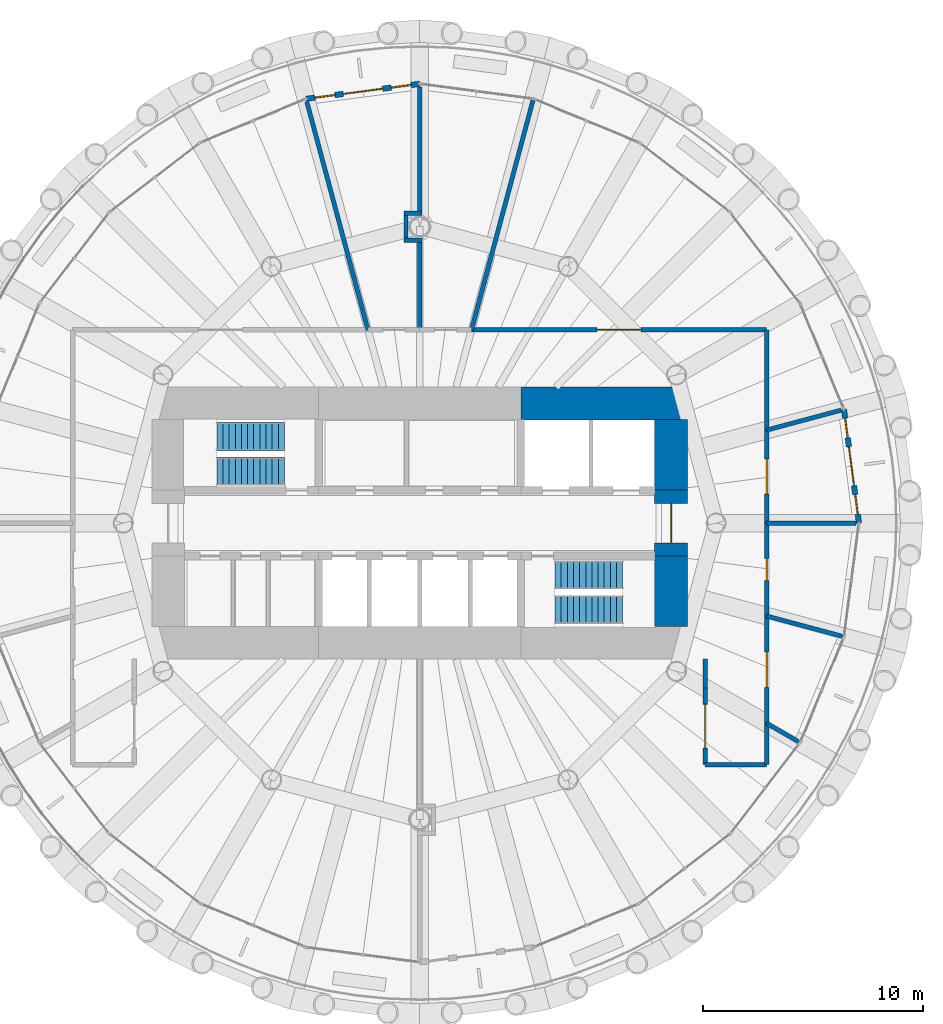
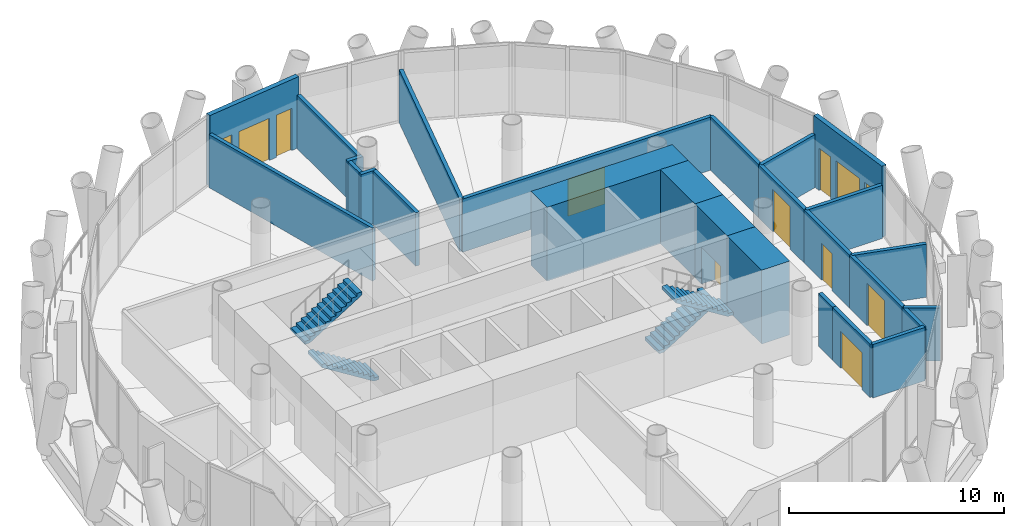
# One storey, part 10 of 13: 26 walls, 8 doors, 4 stair flights, 4 windows, 12 openings, 2 elements without a shape of their own.
"""IFC4 building model written with IfcOpenShell, lengths in metres."""

from ifc_helpers import new_model, si_unit, direction, frame, frame_2d, origin, place, context, subcontext, project, spatial, polyline, rectangle, outline, extrude, material, layer, layer_set, type_object, element, fill, aggregate, save


model = new_model("IFC4")

# Units and contexts
model_context = context("Model", 3, precision=1e-05, world=origin(), true_north=direction((0.0, 1.0)))
body_context = subcontext(model_context, "Body", "Model", "MODEL_VIEW")
ifc_project = project(units=[si_unit("LENGTHUNIT", "METRE"), si_unit("AREAUNIT", "SQUARE_METRE"), si_unit("VOLUMEUNIT", "CUBIC_METRE"), si_unit("PLANEANGLEUNIT", "RADIAN"), si_unit("MASSUNIT", "GRAM", prefix="KILO")], contexts=[model_context])

# Site, building, storey
site_placement = place(None, origin())
site = spatial("IfcSite", under=ifc_project, at=site_placement, CompositionType="ELEMENT")
building_placement = place(site_placement, origin())
building = spatial("IfcBuilding", under=site, at=building_placement, Name="Qaws Media Tower", CompositionType="ELEMENT")
storey_placement = place(building_placement, frame((0.0, 0.0, 244.39990234375)))
storey = spatial("IfcBuildingStorey", under=building, at=storey_placement, Name="L56", CompositionType="ELEMENT", Elevation=244.39990234375)

# Wall, openings, door, windows
ifc_material_1 = material(Name="Precast concrete, exposed finish", Category="concrete")
ifc_layer_1 = layer(ifc_material_1, 0.25)
ifc_layer_set_1 = layer_set([ifc_layer_1], Name="Balcony door wall 250")
wall_type_1 = type_object("IfcWallType", Name="Balcony door wall 250", PredefinedType="SOLIDWALL", material=ifc_layer_set_1)
wall_1_placement = place(storey_placement, frame((80.0, 50.0, 0.0), z_axis=(0.0, 0.0, 1.0), x_axis=(-0.130512574825, 0.991446654043, 0.0)))
wall_1 = element("IfcWall", 1, at=wall_1_placement, inside=storey, type_object=wall_type_1, Name="W263 EW1 balcony door wall L56-01", PredefinedType="SOLIDWALL", context=body_context, shape_type="SweptSolid", body=[
    extrude(rectangle(XDim=5.220947265625, YDim=0.25, at=frame_2d((2.6103515625, 0.0))), origin(), (0.0, 0.0, 1.0), 4.0400390625),
])
opening_1_placement = place(wall_1_placement, frame((1.71044921875, 0.0, 0.0)))
opening_1 = element("IfcOpeningElement", 2, at=opening_1_placement, cuts=wall_1, Name="Opening D7", PredefinedType="OPENING", context=body_context, shape_type="SweptSolid", body=[
    extrude(rectangle(XDim=1.800048828125, YDim=2.39990234375, at=frame_2d((0.89990234375, 1.199951171875))), frame((0.0, 0.135009765625, 0.0), z_axis=(0.0, -1.0, 0.0), x_axis=(1.0, 0.0, 0.0)), (0.0, 0.0, 1.0), 0.27001953125),
])
opening_2_placement = place(wall_1_placement, frame((0.41064453125, 0.0, 0.0)))
opening_2 = element("IfcOpeningElement", 3, at=opening_2_placement, cuts=wall_1, Name="Opening W7", PredefinedType="OPENING", context=body_context, shape_type="SweptSolid", body=[
    extrude(rectangle(XDim=0.89990234375, YDim=2.39990234375, at=frame_2d((0.449951171875, 1.199951171875))), frame((0.0, 0.135009765625, 0.0), z_axis=(0.0, -1.0, 0.0), x_axis=(1.0, 0.0, 0.0)), (0.0, 0.0, 1.0), 0.27001953125),
])
opening_3_placement = place(wall_1_placement, frame((3.91064453125, 0.0, 0.0)))
opening_3 = element("IfcOpeningElement", 4, at=opening_3_placement, cuts=wall_1, Name="Opening W7", PredefinedType="OPENING", context=body_context, shape_type="SweptSolid", body=[
    extrude(rectangle(XDim=0.89990234375, YDim=2.39990234375, at=frame_2d((0.449951171875, 1.199951171875))), frame((0.0, 0.135009765625, 0.0), z_axis=(0.0, -1.0, 0.0), x_axis=(1.0, 0.0, 0.0)), (0.0, 0.0, 1.0), 0.27001953125),
])
ifc_material_2 = material(Name="Aluminium and clear glass", Category="aluminium")
door_type_1 = type_object("IfcDoorType", Name="Balcony door pair 1800", OperationType="DOUBLE_DOOR_SLIDING", PredefinedType="DOOR", material=ifc_material_2)
door_1_placement = place(opening_1_placement, origin())
door_1 = element("IfcDoor", 5, at=door_1_placement, inside=storey, type_object=door_type_1, Name="D7 balcony door L56-01 in wall W263", OperationType="DOUBLE_DOOR_SLIDING", OverallHeight=2.39990234375, OverallWidth=1.800048828125, PredefinedType="DOOR", context=body_context, shape_type="SweptSolid", body=[
    extrude(rectangle(XDim=1.800048828125, YDim=2.39990234375, at=frame_2d((0.89990234375, 1.199951171875))), frame((0.0, 0.02490234375, 0.0), z_axis=(0.0, -1.0, 0.0), x_axis=(1.0, 0.0, 0.0)), (0.0, 0.0, 1.0), 0.050048828125),
])
fill(opening_1, door_1)
ifc_material_3 = material(Name="Aluminium and clear glass", Category="aluminium")
window_type = type_object("IfcWindowType", Name="Balcony side window 900", PartitioningType="SINGLE_PANEL", PredefinedType="WINDOW", material=ifc_material_3)
window_1_placement = place(opening_2_placement, origin())
window_1 = element("IfcWindow", 6, at=window_1_placement, inside=storey, type_object=window_type, Name="W1 balcony side light L56-01L", OverallHeight=2.39990234375, OverallWidth=0.89990234375, PartitioningType="SINGLE_PANEL", PredefinedType="WINDOW", context=body_context, shape_type="SweptSolid", body=[
    extrude(rectangle(XDim=0.89990234375, YDim=2.39990234375, at=frame_2d((0.449951171875, 1.199951171875))), frame((0.0, 0.030029296875, 0.0), z_axis=(0.0, -1.0, 0.0), x_axis=(1.0, 0.0, 0.0)), (0.0, 0.0, 1.0), 0.06005859375),
])
fill(opening_2, window_1)
window_2_placement = place(opening_3_placement, origin())
window_2 = element("IfcWindow", 7, at=window_2_placement, inside=storey, type_object=window_type, Name="W1 balcony side light L56-01R", OverallHeight=2.39990234375, OverallWidth=0.89990234375, PartitioningType="SINGLE_PANEL", PredefinedType="WINDOW", context=body_context, shape_type="SweptSolid", body=[
    extrude(rectangle(XDim=0.89990234375, YDim=2.39990234375, at=frame_2d((0.449951171875, 1.199951171875))), frame((0.0, 0.030029296875, 0.0), z_axis=(0.0, -1.0, 0.0), x_axis=(1.0, 0.0, 0.0)), (0.0, 0.0, 1.0), 0.06005859375),
])
fill(opening_3, window_2)

wall_2_placement = place(storey_placement, frame((60.0, 70.0, 0.0), z_axis=(0.0, 0.0, 1.0), x_axis=(-0.991446654043, -0.130512574825, 0.0)))
wall_2 = element("IfcWall", 8, at=wall_2_placement, inside=storey, type_object=wall_type_1, Name="W262 EW1 balcony door wall L56-07", PredefinedType="SOLIDWALL", context=body_context, shape_type="SweptSolid", body=[
    extrude(rectangle(XDim=5.220947265625, YDim=0.25, at=frame_2d((2.6103515625, 0.0))), origin(), (0.0, 0.0, 1.0), 4.0400390625),
])
opening_4_placement = place(wall_2_placement, frame((1.71044921875, 0.0, 0.0)))
opening_4 = element("IfcOpeningElement", 9, at=opening_4_placement, cuts=wall_2, Name="Opening D7", PredefinedType="OPENING", context=body_context, shape_type="SweptSolid", body=[
    extrude(rectangle(XDim=1.800048828125, YDim=2.39990234375, at=frame_2d((0.89990234375, 1.199951171875))), frame((0.0, 0.135009765625, 0.0), z_axis=(0.0, -1.0, 0.0), x_axis=(1.0, 0.0, 0.0)), (0.0, 0.0, 1.0), 0.27001953125),
])
opening_5_placement = place(wall_2_placement, frame((0.41064453125, 0.0, 0.0)))
opening_5 = element("IfcOpeningElement", 10, at=opening_5_placement, cuts=wall_2, Name="Opening W7", PredefinedType="OPENING", context=body_context, shape_type="SweptSolid", body=[
    extrude(rectangle(XDim=0.89990234375, YDim=2.39990234375, at=frame_2d((0.449951171875, 1.199951171875))), frame((0.0, 0.135009765625, 0.0), z_axis=(0.0, -1.0, 0.0), x_axis=(1.0, 0.0, 0.0)), (0.0, 0.0, 1.0), 0.27001953125),
])
opening_6_placement = place(wall_2_placement, frame((3.91064453125, 0.0, 0.0)))
opening_6 = element("IfcOpeningElement", 11, at=opening_6_placement, cuts=wall_2, Name="Opening W7", PredefinedType="OPENING", context=body_context, shape_type="SweptSolid", body=[
    extrude(rectangle(XDim=0.89990234375, YDim=2.39990234375, at=frame_2d((0.449951171875, 1.199951171875))), frame((0.0, 0.135009765625, 0.0), z_axis=(0.0, -1.0, 0.0), x_axis=(1.0, 0.0, 0.0)), (0.0, 0.0, 1.0), 0.27001953125),
])
door_2_placement = place(opening_4_placement, origin())
door_2 = element("IfcDoor", 12, at=door_2_placement, inside=storey, type_object=door_type_1, Name="D7 balcony door L56-07 in wall W262", OperationType="DOUBLE_DOOR_SLIDING", OverallHeight=2.39990234375, OverallWidth=1.800048828125, PredefinedType="DOOR", context=body_context, shape_type="SweptSolid", body=[
    extrude(rectangle(XDim=1.800048828125, YDim=2.39990234375, at=frame_2d((0.89990234375, 1.199951171875))), frame((0.0, 0.02490234375, 0.0), z_axis=(0.0, -1.0, 0.0), x_axis=(1.0, 0.0, 0.0)), (0.0, 0.0, 1.0), 0.050048828125),
])
fill(opening_4, door_2)
window_3_placement = place(opening_5_placement, origin())
window_3 = element("IfcWindow", 13, at=window_3_placement, inside=storey, type_object=window_type, Name="W1 balcony side light L56-07L", OverallHeight=2.39990234375, OverallWidth=0.89990234375, PartitioningType="SINGLE_PANEL", PredefinedType="WINDOW", context=body_context, shape_type="SweptSolid", body=[
    extrude(rectangle(XDim=0.89990234375, YDim=2.39990234375, at=frame_2d((0.449951171875, 1.199951171875))), frame((0.0, 0.030029296875, 0.0), z_axis=(0.0, -1.0, 0.0), x_axis=(1.0, 0.0, 0.0)), (0.0, 0.0, 1.0), 0.06005859375),
])
fill(opening_5, window_3)
window_4_placement = place(opening_6_placement, origin())
window_4 = element("IfcWindow", 14, at=window_4_placement, inside=storey, type_object=window_type, Name="W1 balcony side light L56-07R", OverallHeight=2.39990234375, OverallWidth=0.89990234375, PartitioningType="SINGLE_PANEL", PredefinedType="WINDOW", context=body_context, shape_type="SweptSolid", body=[
    extrude(rectangle(XDim=0.89990234375, YDim=2.39990234375, at=frame_2d((0.449951171875, 1.199951171875))), frame((0.0, 0.030029296875, 0.0), z_axis=(0.0, -1.0, 0.0), x_axis=(1.0, 0.0, 0.0)), (0.0, 0.0, 1.0), 0.06005859375),
])
fill(opening_6, window_4)

# Walls
ifc_material_4 = material(Name="Concrete C60/75", Category="concrete")
ifc_layer_2 = layer(ifc_material_4, 1.5)
ifc_layer_set_2 = layer_set([ifc_layer_2], Name="Core wall 1500")
wall_type_2 = type_object("IfcWallType", Name="Core wall 1500", PredefinedType="SHEAR", material=ifc_layer_set_2)
wall_3_placement = place(storey_placement, frame((64.60009765625, 55.449951171875, 0.0), z_axis=(0.0, 0.0, 1.0), x_axis=(1.0, 0.0, 0.0)))
element("IfcWall", 15, at=wall_3_placement, inside=storey, type_object=wall_type_2, Name="W382 SW13 core wall NE L56", PredefinedType="SHEAR", context=body_context, shape_type="SweptSolid", body=[
    extrude(rectangle(XDim=7.599853515625, YDim=1.5, at=frame_2d((3.7998046875, 0.0))), origin(), (0.0, 0.0, 1.0), 4.2001953125),
])
wall_4_placement = place(storey_placement, frame((71.449951171875, 45.280029296875, 0.0), z_axis=(0.0, 0.0, 1.0), x_axis=(0.0, 1.0, 0.0)))
element("IfcWall", 16, at=wall_4_placement, inside=storey, type_object=wall_type_2, Name="W383 SW13 core wall ES L56", PredefinedType="SHEAR", context=body_context, shape_type="SweptSolid", body=[
    extrude(rectangle(XDim=3.219970703125, YDim=1.5, at=frame_2d((1.60986328125, 0.0))), origin(), (0.0, 0.0, 1.0), 4.2001953125),
])

# Wall, opening, door
wall_5_placement = place(storey_placement, frame((71.449951171875, 48.5, 0.0), z_axis=(0.0, 0.0, 1.0), x_axis=(0.0, 1.0, 0.0)))
wall_5 = element("IfcWall", 17, at=wall_5_placement, inside=storey, type_object=wall_type_2, Name="W384 SW13 core wall E L56", PredefinedType="SHEAR", context=body_context, shape_type="SweptSolid", body=[
    extrude(rectangle(XDim=3.0, YDim=1.5, at=frame_2d((1.5, 0.0))), origin(), (0.0, 0.0, 1.0), 4.2001953125),
])
opening_7_placement = place(wall_5_placement, frame((0.60009765625, 0.0, 0.0)))
opening_7 = element("IfcOpeningElement", 18, at=opening_7_placement, cuts=wall_5, Name="Opening D2", PredefinedType="OPENING", context=body_context, shape_type="SweptSolid", body=[
    extrude(rectangle(XDim=1.800048828125, YDim=2.10009765625, at=frame_2d((0.89990234375, 1.050048828125))), frame((0.0, 0.760009765625, 0.0), z_axis=(0.0, -1.0, 0.0), x_axis=(1.0, 0.0, 0.0)), (0.0, 0.0, 1.0), 1.52001953125),
])
ifc_material_5 = material(Name="Steel and glass, fire rated", Category="steel")
door_type_2 = type_object("IfcDoorType", Name="Lobby door pair 1800 FD60", OperationType="DOUBLE_DOOR_DOUBLE_SWING", PredefinedType="DOOR", material=ifc_material_5)
door_3_placement = place(opening_7_placement, origin())
door_3 = element("IfcDoor", 19, at=door_3_placement, inside=storey, type_object=door_type_2, Name="D2 core lobby door E L56 in wall W384", OperationType="DOUBLE_DOOR_DOUBLE_SWING", OverallHeight=2.10009765625, OverallWidth=1.800048828125, PredefinedType="DOOR", context=body_context, shape_type="SweptSolid", body=[
    extrude(rectangle(XDim=1.800048828125, YDim=2.10009765625, at=frame_2d((0.89990234375, 1.050048828125))), frame((0.0, 0.02490234375, 0.0), z_axis=(0.0, -1.0, 0.0), x_axis=(1.0, 0.0, 0.0)), (0.0, 0.0, 1.0), 0.050048828125),
])
fill(opening_7, door_3)

# Wall
wall_6_placement = place(storey_placement, frame((71.449951171875, 51.5, 0.0), z_axis=(0.0, 0.0, 1.0), x_axis=(0.0, 1.0, 0.0)))
element("IfcWall", 20, at=wall_6_placement, inside=storey, type_object=wall_type_2, Name="W385 SW13 core wall EN L56", PredefinedType="SHEAR", context=body_context, shape_type="SweptSolid", body=[
    extrude(rectangle(XDim=3.219970703125, YDim=1.5, at=frame_2d((1.60986328125, 0.0))), origin(), (0.0, 0.0, 1.0), 4.2001953125),
])

# Wall, opening, door
ifc_material_6 = material(Name="Gypsum board on galvanised metal studs, acoustic double stud, deflection head", Category="gypsum")
ifc_layer_3 = layer(ifc_material_6, 0.199951171875)
ifc_layer_set_3 = layer_set([ifc_layer_3], Name="Room partition 200")
wall_type_3 = type_object("IfcWallType", Name="Room partition 200", PredefinedType="PARTITIONING", material=ifc_layer_set_3)
wall_7_placement = place(storey_placement, frame((62.35791015625, 58.800048828125, 0.0), z_axis=(0.0, 0.0, 1.0), x_axis=(1.0, 0.0, 0.0)))
wall_7 = element("IfcWall", 21, at=wall_7_placement, inside=storey, type_object=wall_type_3, Name="W1662 IW3 partition L56", PredefinedType="PARTITIONING", context=body_context, shape_type="SweptSolid", body=[
    extrude(rectangle(XDim=13.442138671875, YDim=0.199951171875, at=frame_2d((6.72119140625, 0.0))), origin(), (0.0, 0.0, 1.0), 3.02001953125),
])
opening_8_placement = place(wall_7_placement, frame((5.720947265625, 0.0, 0.0)))
opening_8 = element("IfcOpeningElement", 22, at=opening_8_placement, cuts=wall_7, Name="Opening D6", PredefinedType="OPENING", context=body_context, shape_type="SweptSolid", body=[
    extrude(rectangle(XDim=2.0, YDim=2.10009765625, at=frame_2d((1.0, 1.050048828125))), frame((0.0, 0.10986328125, 0.0), z_axis=(0.0, -1.0, 0.0), x_axis=(1.0, 0.0, 0.0)), (0.0, 0.0, 1.0), 0.219970703125),
])
ifc_material_7 = material(Name="Steel, acoustic, fire rated", Category="steel")
door_type_3 = type_object("IfcDoorType", Name="Room door pair 2000", OperationType="DOUBLE_DOOR_DOUBLE_SWING", PredefinedType="DOOR", material=ifc_material_7)
door_4_placement = place(opening_8_placement, origin())
door_4 = element("IfcDoor", 23, at=door_4_placement, inside=storey, type_object=door_type_3, Name="D6 Tenant office door L56 in wall W1662", OperationType="DOUBLE_DOOR_DOUBLE_SWING", OverallHeight=2.10009765625, OverallWidth=2.0, PredefinedType="DOOR", context=body_context, shape_type="SweptSolid", body=[
    extrude(rectangle(XDim=2.0, YDim=2.10009765625, at=frame_2d((1.0, 1.050048828125))), frame((0.0, 0.02490234375, 0.0), z_axis=(0.0, -1.0, 0.0), x_axis=(1.0, 0.0, 0.0)), (0.0, 0.0, 1.0), 0.050048828125),
])
fill(opening_8, door_4)

# Wall
wall_8_placement = place(storey_placement, frame((75.800048828125, 58.800048828125, 0.0), z_axis=(0.0, 0.0, 1.0), x_axis=(0.0, -1.0, 0.0)))
element("IfcWall", 24, at=wall_8_placement, inside=storey, type_object=wall_type_3, Name="W1625 IW3 partition L56", PredefinedType="PARTITIONING", context=body_context, shape_type="SweptSolid", body=[
    extrude(rectangle(XDim=4.56640625, YDim=0.199951171875, at=frame_2d((2.283203125, 0.0))), origin(), (0.0, 0.0, 1.0), 3.02001953125),
])

# Wall, opening, door
wall_9_placement = place(storey_placement, frame((75.800048828125, 54.233642578125, 0.0), z_axis=(0.0, 0.0, 1.0), x_axis=(0.0, -1.0, 0.0)))
wall_9 = element("IfcWall", 25, at=wall_9_placement, inside=storey, type_object=wall_type_3, Name="W1624 IW3 partition L56", PredefinedType="PARTITIONING", context=body_context, shape_type="SweptSolid", body=[
    extrude(rectangle(XDim=4.233642578125, YDim=0.199951171875, at=frame_2d((2.11669921875, 0.0))), origin(), (0.0, 0.0, 1.0), 3.02001953125),
])
opening_9_placement = place(wall_9_placement, frame((1.31689453125, 0.0, 0.0)))
opening_9 = element("IfcOpeningElement", 26, at=opening_9_placement, cuts=wall_9, Name="Opening D16", PredefinedType="OPENING", context=body_context, shape_type="SweptSolid", body=[
    extrude(rectangle(XDim=1.60009765625, YDim=2.39990234375, at=frame_2d((0.800048828125, 1.199951171875))), frame((0.0, 0.10986328125, 0.0), z_axis=(0.0, -1.0, 0.0), x_axis=(1.0, 0.0, 0.0)), (0.0, 0.0, 1.0), 0.219970703125),
])
ifc_material_8 = material(Name="Glazed aluminium, fire rated", Category="aluminium")
door_type_4 = type_object("IfcDoorType", Name="Tenant entrance door pair 1600x2400", OperationType="DOUBLE_DOOR_DOUBLE_SWING", PredefinedType="DOOR", material=ifc_material_8)
door_5_placement = place(opening_9_placement, origin())
door_5 = element("IfcDoor", 27, at=door_5_placement, inside=storey, type_object=door_type_4, Name="D16 Tenant reception door L56 in wall W1624", OperationType="DOUBLE_DOOR_DOUBLE_SWING", OverallHeight=2.39990234375, OverallWidth=1.60009765625, PredefinedType="DOOR", context=body_context, shape_type="SweptSolid", body=[
    extrude(rectangle(XDim=1.60009765625, YDim=2.39990234375, at=frame_2d((0.800048828125, 1.199951171875))), frame((0.0, 0.02490234375, 0.0), z_axis=(0.0, -1.0, 0.0), x_axis=(1.0, 0.0, 0.0)), (0.0, 0.0, 1.0), 0.050048828125),
])
fill(opening_9, door_5)

wall_10_placement = place(storey_placement, frame((75.800048828125, 50.0, 0.0), z_axis=(0.0, 0.0, 1.0), x_axis=(0.0, -1.0, 0.0)))
wall_10 = element("IfcWall", 28, at=wall_10_placement, inside=storey, type_object=wall_type_3, Name="W1623 IW3 partition L56", PredefinedType="PARTITIONING", context=body_context, shape_type="SweptSolid", body=[
    extrude(rectangle(XDim=4.233642578125, YDim=0.199951171875, at=frame_2d((2.11669921875, 0.0))), origin(), (0.0, 0.0, 1.0), 3.02001953125),
])
opening_10_placement = place(wall_10_placement, frame((1.61669921875, 0.0, 0.0)))
opening_10 = element("IfcOpeningElement", 29, at=opening_10_placement, cuts=wall_10, Name="Opening D5", PredefinedType="OPENING", context=body_context, shape_type="SweptSolid", body=[
    extrude(rectangle(XDim=1.0, YDim=2.10009765625, at=frame_2d((0.5, 1.050048828125))), frame((0.0, 0.10986328125, 0.0), z_axis=(0.0, -1.0, 0.0), x_axis=(1.0, 0.0, 0.0)), (0.0, 0.0, 1.0), 0.219970703125),
])
ifc_material_9 = material(Name="Timber veneered, acoustic seal", Category="wood")
door_type_5 = type_object("IfcDoorType", Name="Room door 1000", OperationType="SINGLE_SWING_LEFT", PredefinedType="DOOR", material=ifc_material_9)
door_6_placement = place(opening_10_placement, origin())
door_6 = element("IfcDoor", 30, at=door_6_placement, inside=storey, type_object=door_type_5, Name="D5 Tenant pantry door L56 in wall W1623", OperationType="SINGLE_SWING_LEFT", OverallHeight=2.10009765625, OverallWidth=1.0, PredefinedType="DOOR", context=body_context, shape_type="SweptSolid", body=[
    extrude(rectangle(XDim=1.0, YDim=2.10009765625, at=frame_2d((0.5, 1.050048828125))), frame((0.0, 0.02490234375, 0.0), z_axis=(0.0, -1.0, 0.0), x_axis=(1.0, 0.0, 0.0)), (0.0, 0.0, 1.0), 0.050048828125),
])
fill(opening_10, door_6)

wall_11_placement = place(storey_placement, frame((75.800048828125, 45.766357421875, 0.0), z_axis=(0.0, 0.0, 1.0), x_axis=(0.0, -1.0, 0.0)))
wall_11 = element("IfcWall", 31, at=wall_11_placement, inside=storey, type_object=wall_type_3, Name="W1622 IW3 partition L56", PredefinedType="PARTITIONING", context=body_context, shape_type="SweptSolid", body=[
    extrude(rectangle(XDim=4.888427734375, YDim=0.199951171875, at=frame_2d((2.4443359375, 0.0))), origin(), (0.0, 0.0, 1.0), 3.02001953125),
])
opening_11_placement = place(wall_11_placement, frame((1.644287109375, 0.0, 0.0)))
opening_11 = element("IfcOpeningElement", 32, at=opening_11_placement, cuts=wall_11, Name="Opening D16", PredefinedType="OPENING", context=body_context, shape_type="SweptSolid", body=[
    extrude(rectangle(XDim=1.60009765625, YDim=2.39990234375, at=frame_2d((0.800048828125, 1.199951171875))), frame((0.0, 0.10986328125, 0.0), z_axis=(0.0, -1.0, 0.0), x_axis=(1.0, 0.0, 0.0)), (0.0, 0.0, 1.0), 0.219970703125),
])
door_7_placement = place(opening_11_placement, origin())
door_7 = element("IfcDoor", 33, at=door_7_placement, inside=storey, type_object=door_type_4, Name="D16 Tenant reception door L56 in wall W1622", OperationType="DOUBLE_DOOR_DOUBLE_SWING", OverallHeight=2.39990234375, OverallWidth=1.60009765625, PredefinedType="DOOR", context=body_context, shape_type="SweptSolid", body=[
    extrude(rectangle(XDim=1.60009765625, YDim=2.39990234375, at=frame_2d((0.800048828125, 1.199951171875))), frame((0.0, 0.02490234375, 0.0), z_axis=(0.0, -1.0, 0.0), x_axis=(1.0, 0.0, 0.0)), (0.0, 0.0, 1.0), 0.050048828125),
])
fill(opening_11, door_7)

# Walls
wall_12_placement = place(storey_placement, frame((75.800048828125, 40.8779296875, 0.0), z_axis=(0.0, 0.0, 1.0), x_axis=(0.0, -1.0, 0.0)))
element("IfcWall", 34, at=wall_12_placement, inside=storey, type_object=wall_type_3, Name="W1621 IW3 partition L56", PredefinedType="PARTITIONING", context=body_context, shape_type="SweptSolid", body=[
    extrude(rectangle(XDim=1.8779296875, YDim=0.199951171875, at=frame_2d((0.93896484375, 0.0))), origin(), (0.0, 0.0, 1.0), 3.02001953125),
])
wall_13_placement = place(storey_placement, frame((75.800048828125, 39.0, 0.0), z_axis=(0.0, 0.0, 1.0), x_axis=(-1.0, 0.0, 0.0)))
element("IfcWall", 35, at=wall_13_placement, inside=storey, type_object=wall_type_3, Name="W1231 IW3 partition L56", PredefinedType="PARTITIONING", context=body_context, shape_type="SweptSolid", body=[
    extrude(rectangle(XDim=2.800048828125, YDim=0.199951171875, at=frame_2d((1.39990234375, 0.0))), origin(), (0.0, 0.0, 1.0), 3.0400390625),
])

# Wall, opening, door
wall_14_placement = place(storey_placement, frame((73.0, 39.0, 0.0), z_axis=(0.0, 0.0, 1.0), x_axis=(0.0, 1.0, 0.0)))
wall_14 = element("IfcWall", 36, at=wall_14_placement, inside=storey, type_object=wall_type_3, Name="W1602 IW3 partition L56", PredefinedType="PARTITIONING", context=body_context, shape_type="SweptSolid", body=[
    extrude(rectangle(XDim=3.494384765625, YDim=0.199951171875, at=frame_2d((1.7470703125, 0.0))), origin(), (0.0, 0.0, 1.0), 3.02001953125),
])
opening_12_placement = place(wall_14_placement, frame((0.747314453125, 0.0, 0.0)))
opening_12 = element("IfcOpeningElement", 37, at=opening_12_placement, cuts=wall_14, Name="Opening D6", PredefinedType="OPENING", context=body_context, shape_type="SweptSolid", body=[
    extrude(rectangle(XDim=2.0, YDim=2.10009765625, at=frame_2d((1.0, 1.050048828125))), frame((0.0, 0.10986328125, 0.0), z_axis=(0.0, -1.0, 0.0), x_axis=(1.0, 0.0, 0.0)), (0.0, 0.0, 1.0), 0.219970703125),
])
door_8_placement = place(opening_12_placement, origin())
door_8 = element("IfcDoor", 38, at=door_8_placement, inside=storey, type_object=door_type_3, Name="D6 Tenant office door L56 in wall W1602", OperationType="DOUBLE_DOOR_DOUBLE_SWING", OverallHeight=2.10009765625, OverallWidth=2.0, PredefinedType="DOOR", context=body_context, shape_type="SweptSolid", body=[
    extrude(rectangle(XDim=2.0, YDim=2.10009765625, at=frame_2d((1.0, 1.050048828125))), frame((0.0, 0.02490234375, 0.0), z_axis=(0.0, -1.0, 0.0), x_axis=(1.0, 0.0, 0.0)), (0.0, 0.0, 1.0), 0.050048828125),
])
fill(opening_12, door_8)

# Walls
wall_15_placement = place(storey_placement, frame((73.0, 42.494384765625, 0.0), z_axis=(0.0, 0.0, 1.0), x_axis=(0.0, 1.0, 0.0)))
element("IfcWall", 39, at=wall_15_placement, inside=storey, type_object=wall_type_3, Name="W1603 IW3 partition L56", PredefinedType="PARTITIONING", context=body_context, shape_type="SweptSolid", body=[
    extrude(rectangle(XDim=1.3056640625, YDim=0.199951171875, at=frame_2d((0.65283203125, 0.0))), origin(), (0.0, 0.0, 1.0), 3.02001953125),
])
wall_16_placement = place(storey_placement, frame((75.800048828125, 50.0, 0.0), z_axis=(0.0, 0.0, 1.0), x_axis=(1.0, 0.0, 0.0)))
element("IfcWall", 40, at=wall_16_placement, inside=storey, type_object=wall_type_3, Name="W1675 IW3 partition L56", PredefinedType="PARTITIONING", context=body_context, shape_type="SweptSolid", body=[
    extrude(rectangle(XDim=4.06005859375, YDim=0.199951171875, at=frame_2d((2.030029296875, 0.0))), origin(), (0.0, 0.0, 1.0), 3.02001953125),
])
wall_17_placement = place(storey_placement, frame((75.802490234375, 54.234375, 0.0), z_axis=(0.0, 0.0, 1.0), x_axis=(0.965935598249, 0.258782572899, 0.0)))
element("IfcWall", 41, at=wall_17_placement, inside=storey, type_object=wall_type_3, Name="W1677 IW3 partition L56", PredefinedType="PARTITIONING", context=body_context, shape_type="SweptSolid", body=[
    extrude(rectangle(XDim=3.5, YDim=0.199951171875, at=frame_2d((1.75, 0.0))), origin(), (0.0, 0.0, 1.0), 3.02001953125),
])
wall_18_placement = place(storey_placement, frame((62.355224609375, 58.789794921875, 0.0), z_axis=(0.0, 0.0, 1.0), x_axis=(0.258819612444, 0.96592567427, 0.0)))
element("IfcWall", 42, at=wall_18_placement, inside=storey, type_object=wall_type_3, Name="W1673 IW3 partition L56", PredefinedType="PARTITIONING", context=body_context, shape_type="SweptSolid", body=[
    extrude(rectangle(XDim=10.860107421875, YDim=0.199951171875, at=frame_2d((5.43017578125, 0.0))), origin(), (0.0, 0.0, 1.0), 3.02001953125),
])
for number, where, z_axis, x_axis, name in (
    (43, (60.10009765625, 62.883056640625, 0.0), (0.0, 0.0, 1.0), (-1.0, 0.0, 0.0), "W1659 IW3 partition return L56"),
    (44, (60.10009765625, 64.116943359375, 0.0), (0.0, 0.0, 1.0), (-1.0, 0.0, 0.0), "W1660 IW3 partition return L56"),
):
    element("IfcWall", number, at=place(storey_placement, frame(where, z_axis=z_axis, x_axis=x_axis)), inside=storey, type_object=wall_type_3, Name=name, PredefinedType="PARTITIONING", context=body_context, shape_type="SweptSolid", body=[
        extrude(rectangle(XDim=0.8271484375, YDim=0.199951171875, at=frame_2d((0.41357421875, 0.0))), origin(), (0.0, 0.0, 1.0), 3.02001953125),
    ])
wall_19_placement = place(storey_placement, frame((59.373046875, 62.98291015625, 0.0), z_axis=(0.0, 0.0, 1.0), x_axis=(0.0, 1.0, 0.0)))
element("IfcWall", 45, at=wall_19_placement, inside=storey, type_object=wall_type_3, Name="W1653 IW3 partition return L56", PredefinedType="PARTITIONING", context=body_context, shape_type="SweptSolid", body=[
    extrude(rectangle(XDim=1.0341796875, YDim=0.199951171875, at=frame_2d((0.51708984375, 0.0))), origin(), (0.0, 0.0, 1.0), 3.02001953125),
])
wall_20_placement = place(storey_placement, frame((60.0, 58.800048828125, 0.0), z_axis=(0.0, 0.0, 1.0), x_axis=(0.0, 1.0, 0.0)))
element("IfcWall", 46, at=wall_20_placement, inside=storey, type_object=wall_type_3, Name="W1656 IW3 partition L56", PredefinedType="PARTITIONING", context=body_context, shape_type="SweptSolid", body=[
    extrude(rectangle(XDim=3.98291015625, YDim=0.199951171875, at=frame_2d((1.991455078125, 0.0))), origin(), (0.0, 0.0, 1.0), 3.0400390625),
])
wall_21_placement = place(storey_placement, frame((60.0, 64.217041015625, 0.0), z_axis=(0.0, 0.0, 1.0), x_axis=(0.0, 1.0, 0.0)))
element("IfcWall", 47, at=wall_21_placement, inside=storey, type_object=wall_type_3, Name="W1672 IW3 partition L56", PredefinedType="PARTITIONING", context=body_context, shape_type="SweptSolid", body=[
    extrude(rectangle(XDim=5.64306640625, YDim=0.199951171875, at=frame_2d((2.821533203125, 0.0))), origin(), (0.0, 0.0, 1.0), 3.02001953125),
])
wall_22_placement = place(storey_placement, frame((57.644775390625, 58.789794921875, 0.0), z_axis=(0.0, 0.0, 1.0), x_axis=(-0.25881622915, 0.965926580817, 0.0)))
element("IfcWall", 48, at=wall_22_placement, inside=storey, type_object=wall_type_3, Name="W1670 IW3 partition L56", PredefinedType="PARTITIONING", context=body_context, shape_type="SweptSolid", body=[
    extrude(rectangle(XDim=10.76025390625, YDim=0.199951171875, at=frame_2d((5.380126953125, 0.0))), origin(), (0.0, 0.0, 1.0), 3.02001953125),
])
wall_23_placement = place(storey_placement, frame((75.79638671875, 40.8798828125, 0.0), z_axis=(0.0, 0.0, 1.0), x_axis=(0.866050849587, -0.499955923987, 0.0)))
element("IfcWall", 49, at=wall_23_placement, inside=storey, type_object=wall_type_3, Name="W1674 IW3 partition L56", PredefinedType="PARTITIONING", context=body_context, shape_type="SweptSolid", body=[
    extrude(rectangle(XDim=1.719970703125, YDim=0.199951171875, at=frame_2d((0.85986328125, 0.0))), origin(), (0.0, 0.0, 1.0), 3.02001953125),
])
wall_24_placement = place(storey_placement, frame((75.802490234375, 45.765625, 0.0), z_axis=(0.0, 0.0, 1.0), x_axis=(0.96593261366, -0.258793712962, 0.0)))
element("IfcWall", 50, at=wall_24_placement, inside=storey, type_object=wall_type_3, Name="W1676 IW3 partition L56", PredefinedType="PARTITIONING", context=body_context, shape_type="SweptSolid", body=[
    extrude(rectangle(XDim=3.599853515625, YDim=0.199951171875, at=frame_2d((1.7998046875, 0.0))), origin(), (0.0, 0.0, 1.0), 3.02001953125),
])

# Stair, stair flights
ifc_material_10 = material(Name="Concrete C40/50", Category="concrete")
stair_type = type_object("IfcStairType", Name="Exit stair", PredefinedType="HALF_TURN_STAIR", material=ifc_material_10)
stair_1_placement = place(storey_placement, origin())
stair_1 = element("IfcStair", 51, at=stair_1_placement, inside=storey, type_object=stair_type, Name="S1 exit stair L56", PredefinedType="HALF_TURN_STAIR")
ifc_material_11 = material(Name="Concrete C40/50", Category="concrete")
stair_flight_type = type_object("IfcStairFlightType", Name="Stair flight 1310", PredefinedType="STRAIGHT", material=ifc_material_11)
stair_flight_1_placement = place(storey_placement, frame((53.840087890625, 52.35498046875, 0.0), z_axis=(0.0, 0.0, 1.0), x_axis=(-1.0, 0.0, 0.0)))
stair_flight_1 = element("IfcStairFlight", 52, at=stair_flight_1_placement, type_object=stair_flight_type, Name="S1 flight 1", NumberOfRisers=12, NumberOfTreads=11, PredefinedType="STRAIGHT", RiserHeight=0.175, TreadLength=0.28, context=body_context, shape_type="SweptSolid", body=[
    extrude(outline(polyline([(0.0, 0.0), (0.0, 0.175048828125), (0.280029296875, 0.175048828125), (0.280029296875, 0.35009765625), (0.56005859375, 0.35009765625), (0.56005859375, 0.52490234375), (0.840087890625, 0.52490234375), (0.840087890625, 0.699951171875), (1.1201171875, 0.699951171875), (1.1201171875, 0.875), (1.39990234375, 0.875), (1.39990234375, 1.050048828125), (1.679931640625, 1.050048828125), (1.679931640625, 1.22509765625), (1.9599609375, 1.22509765625), (1.9599609375, 1.39990234375), (2.239990234375, 1.39990234375), (2.239990234375, 1.574951171875), (2.52001953125, 1.574951171875), (2.52001953125, 1.75), (2.800048828125, 1.75), (2.800048828125, 1.925048828125), (3.080078125, 1.925048828125), (3.080078125, 2.10009765625), (3.080078125, 1.748291015625), (0.28271484375, 0.0), (0.0, 0.0)])), frame((0.0, 0.655029296875, 0.0), z_axis=(0.0, -1.0, 0.0), x_axis=(1.0, 0.0, 0.0)), (0.0, 0.0, 1.0), 1.31005859375),
])
stair_flight_2_placement = place(storey_placement, frame((50.760009765625, 53.945068359375, 2.10009765625), z_axis=(0.0, 0.0, 1.0), x_axis=(1.0, 0.0, 0.0)))
stair_flight_2 = element("IfcStairFlight", 53, at=stair_flight_2_placement, type_object=stair_flight_type, Name="S1 flight 2", NumberOfRisers=12, NumberOfTreads=11, PredefinedType="STRAIGHT", RiserHeight=0.175, TreadLength=0.28, context=body_context, shape_type="SweptSolid", body=[
    extrude(outline(polyline([(0.0, 0.0), (0.0, 0.175048828125), (0.280029296875, 0.175048828125), (0.280029296875, 0.35009765625), (0.56005859375, 0.35009765625), (0.56005859375, 0.52490234375), (0.840087890625, 0.52490234375), (0.840087890625, 0.699951171875), (1.1201171875, 0.699951171875), (1.1201171875, 0.875), (1.39990234375, 0.875), (1.39990234375, 1.050048828125), (1.679931640625, 1.050048828125), (1.679931640625, 1.22509765625), (1.9599609375, 1.22509765625), (1.9599609375, 1.39990234375), (2.239990234375, 1.39990234375), (2.239990234375, 1.574951171875), (2.52001953125, 1.574951171875), (2.52001953125, 1.75), (2.800048828125, 1.75), (2.800048828125, 1.925048828125), (3.080078125, 1.925048828125), (3.080078125, 2.10009765625), (3.080078125, 1.748291015625), (0.28271484375, 0.0), (0.0, 0.0)])), frame((0.0, 0.655029296875, 0.0), z_axis=(0.0, -1.0, 0.0), x_axis=(1.0, 0.0, 0.0)), (0.0, 0.0, 1.0), 1.31005859375),
])
aggregate(stair_1, [stair_flight_1, stair_flight_2])

stair_2_placement = place(storey_placement, origin())
stair_2 = element("IfcStair", 54, at=stair_2_placement, inside=storey, type_object=stair_type, Name="S2 exit stair L56", PredefinedType="HALF_TURN_STAIR")
stair_flight_3_placement = place(storey_placement, frame((66.159912109375, 47.64501953125, 0.0), z_axis=(0.0, 0.0, 1.0), x_axis=(1.0, 0.0, 0.0)))
stair_flight_3 = element("IfcStairFlight", 55, at=stair_flight_3_placement, type_object=stair_flight_type, Name="S2 flight 1", NumberOfRisers=12, NumberOfTreads=11, PredefinedType="STRAIGHT", RiserHeight=0.175, TreadLength=0.28, context=body_context, shape_type="SweptSolid", body=[
    extrude(outline(polyline([(0.0, 0.0), (0.0, 0.175048828125), (0.280029296875, 0.175048828125), (0.280029296875, 0.35009765625), (0.56005859375, 0.35009765625), (0.56005859375, 0.52490234375), (0.840087890625, 0.52490234375), (0.840087890625, 0.699951171875), (1.1201171875, 0.699951171875), (1.1201171875, 0.875), (1.39990234375, 0.875), (1.39990234375, 1.050048828125), (1.679931640625, 1.050048828125), (1.679931640625, 1.22509765625), (1.9599609375, 1.22509765625), (1.9599609375, 1.39990234375), (2.239990234375, 1.39990234375), (2.239990234375, 1.574951171875), (2.52001953125, 1.574951171875), (2.52001953125, 1.75), (2.800048828125, 1.75), (2.800048828125, 1.925048828125), (3.080078125, 1.925048828125), (3.080078125, 2.10009765625), (3.080078125, 1.748291015625), (0.28271484375, 0.0), (0.0, 0.0)])), frame((0.0, 0.655029296875, 0.0), z_axis=(0.0, -1.0, 0.0), x_axis=(1.0, 0.0, 0.0)), (0.0, 0.0, 1.0), 1.31005859375),
])
stair_flight_4_placement = place(storey_placement, frame((69.239990234375, 46.054931640625, 2.10009765625), z_axis=(0.0, 0.0, 1.0), x_axis=(-1.0, 0.0, 0.0)))
stair_flight_4 = element("IfcStairFlight", 56, at=stair_flight_4_placement, type_object=stair_flight_type, Name="S2 flight 2", NumberOfRisers=12, NumberOfTreads=11, PredefinedType="STRAIGHT", RiserHeight=0.175, TreadLength=0.28, context=body_context, shape_type="SweptSolid", body=[
    extrude(outline(polyline([(0.0, 0.0), (0.0, 0.175048828125), (0.280029296875, 0.175048828125), (0.280029296875, 0.35009765625), (0.56005859375, 0.35009765625), (0.56005859375, 0.52490234375), (0.840087890625, 0.52490234375), (0.840087890625, 0.699951171875), (1.1201171875, 0.699951171875), (1.1201171875, 0.875), (1.39990234375, 0.875), (1.39990234375, 1.050048828125), (1.679931640625, 1.050048828125), (1.679931640625, 1.22509765625), (1.9599609375, 1.22509765625), (1.9599609375, 1.39990234375), (2.239990234375, 1.39990234375), (2.239990234375, 1.574951171875), (2.52001953125, 1.574951171875), (2.52001953125, 1.75), (2.800048828125, 1.75), (2.800048828125, 1.925048828125), (3.080078125, 1.925048828125), (3.080078125, 2.10009765625), (3.080078125, 1.748291015625), (0.28271484375, 0.0), (0.0, 0.0)])), frame((0.0, 0.655029296875, 0.0), z_axis=(0.0, -1.0, 0.0), x_axis=(1.0, 0.0, 0.0)), (0.0, 0.0, 1.0), 1.31005859375),
])
aggregate(stair_2, [stair_flight_3, stair_flight_4])

save(model, "model.ifc")
